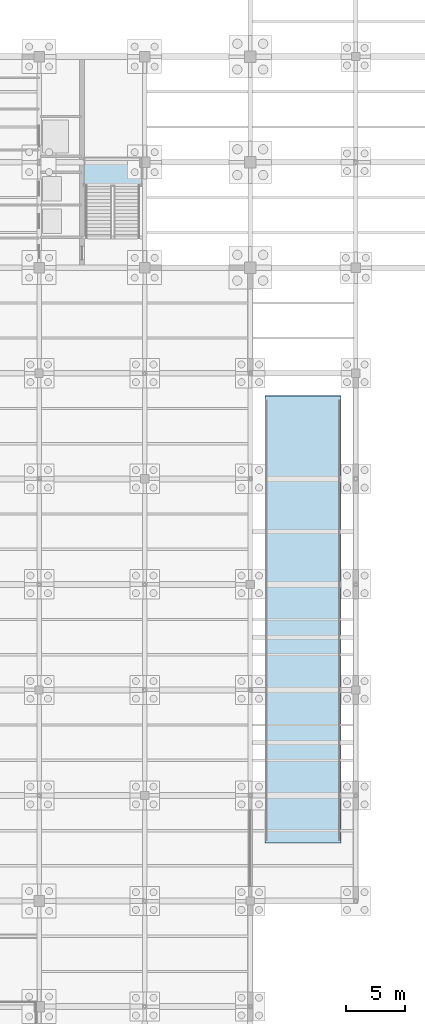
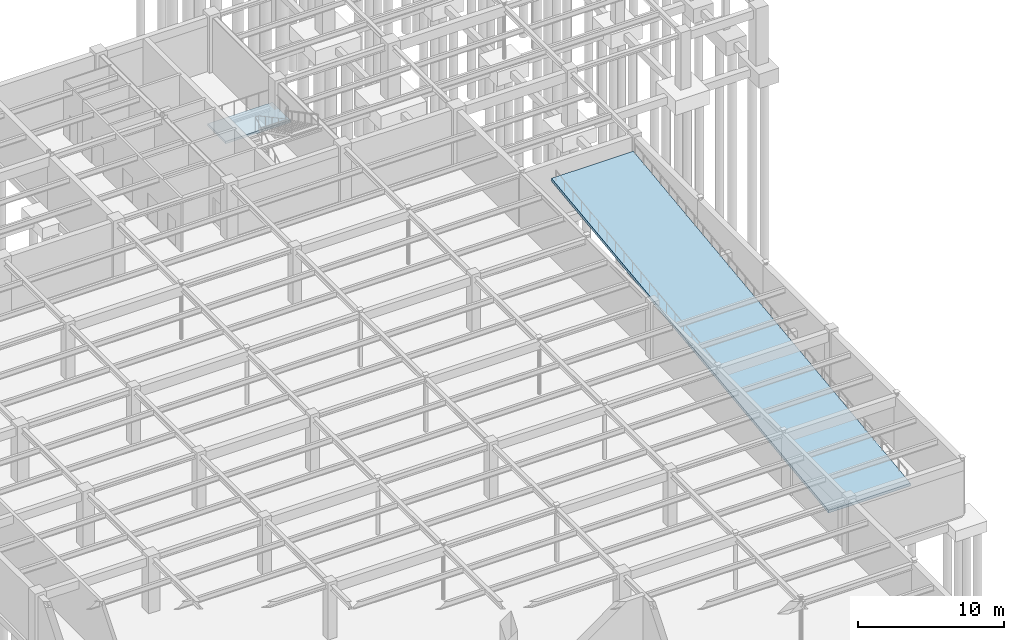
# One storey, part 36 of 49: 2 slabs, 1 element without a shape of its own.
"""IFC4 building model written with IfcOpenShell, lengths in metres."""

from ifc_helpers import new_model, si_unit, direction, frame, origin, place, context, subcontext, project, spatial, polyline, outline, extrude, material, layer, layer_set, type_object, element, aggregate, save


model = new_model("IFC4")

# Units and contexts
model_context = context("Model", 3, precision=1e-05, world=origin(), true_north=direction((0.0, 1.0)))
body_context = subcontext(model_context, "Body", "Model", "MODEL_VIEW")
ifc_project = project(units=[si_unit("LENGTHUNIT", "METRE"), si_unit("AREAUNIT", "SQUARE_METRE"), si_unit("VOLUMEUNIT", "CUBIC_METRE"), si_unit("PLANEANGLEUNIT", "RADIAN"), si_unit("MASSUNIT", "GRAM", prefix="KILO")], contexts=[model_context])

# Site, building, storey
site_placement = place(None, origin())
site = spatial("IfcSite", under=ifc_project, at=site_placement, CompositionType="ELEMENT")
building_placement = place(site_placement, origin())
building = spatial("IfcBuilding", under=site, at=building_placement, Name="Lykobir Media Centre", CompositionType="ELEMENT")
storey_placement = place(building_placement, frame((0.0, 0.0, -4.800048828125)))
storey = spatial("IfcBuildingStorey", under=building, at=storey_placement, Name="B1", CompositionType="ELEMENT", Elevation=-4.800048828125)

# Slab
ifc_material_1 = material(Name="Concrete C35/45", Category="concrete")
ifc_layer_1 = layer(ifc_material_1, 0.25, Name="Concrete C35/45")
ifc_layer_set_1 = layer_set([ifc_layer_1], Name="Concrete C35/45")
slab_type_1 = type_object("IfcSlabType", Name="RSL-250", PredefinedType="USERDEFINED", material=ifc_layer_set_1)
slab_1_placement = place(storey_placement, frame((145.25, 22.9599609375, -0.030029296875), z_axis=(0.0, -0.124039430013, 0.992277289774), x_axis=(1.0, 0.0, 0.0)))
element("IfcSlab", 1, at=slab_1_placement, inside=storey, type_object=slab_type_1, Name="Vehicle Ramp Structural Slab R1", ObjectType="RAMP SLAB", PredefinedType="USERDEFINED", context=body_context, shape_type="SweptSolid", body=[
    extrude(outline(polyline([(0.0, 0.0), (6.5, 0.0), (6.5, 38.39662365437221), (0.0, 38.39662365437221), (0.0, 0.0)])), origin(), (0.0, 0.0, -1.0), 0.25),
])

# Stair, slab
ifc_material_2 = material(Name="Concrete C30/37", Category="concrete")
stair_type = type_object("IfcStairType", Name="ST-HT-480", PredefinedType="HALF_TURN_STAIR", material=ifc_material_2)
stair_placement = place(storey_placement, origin())
stair = element("IfcStair", 2, at=stair_placement, inside=storey, type_object=stair_type, Name="Escape stair ST-4 B1", PredefinedType="HALF_TURN_STAIR")
ifc_layer_2 = layer(ifc_material_2, 0.195068359375, Name="Concrete C30/37")
ifc_layer_set_2 = layer_set([ifc_layer_2], Name="Concrete C30/37")
slab_type_2 = type_object("IfcSlabType", Name="SL-195", PredefinedType="LANDING", material=ifc_layer_set_2)
slab_2_placement = place(storey_placement, frame((0.0, 0.0, 2.205078125)))
slab_2 = element("IfcSlab", 3, at=slab_2_placement, type_object=slab_type_2, Name="ST-4-B1 landing 1", PredefinedType="LANDING", context=body_context, shape_type="SweptSolid", body=[
    extrude(outline(polyline([(129.72998046875, 78.949951171875), (134.8701171875, 78.949951171875), (134.8701171875, 81.429931640625), (129.72998046875, 81.429931640625), (129.72998046875, 78.949951171875)])), origin(), (0.0, 0.0, 1.0), 0.195068359375),
])
aggregate(stair, [slab_2])

save(model, "model.ifc")
